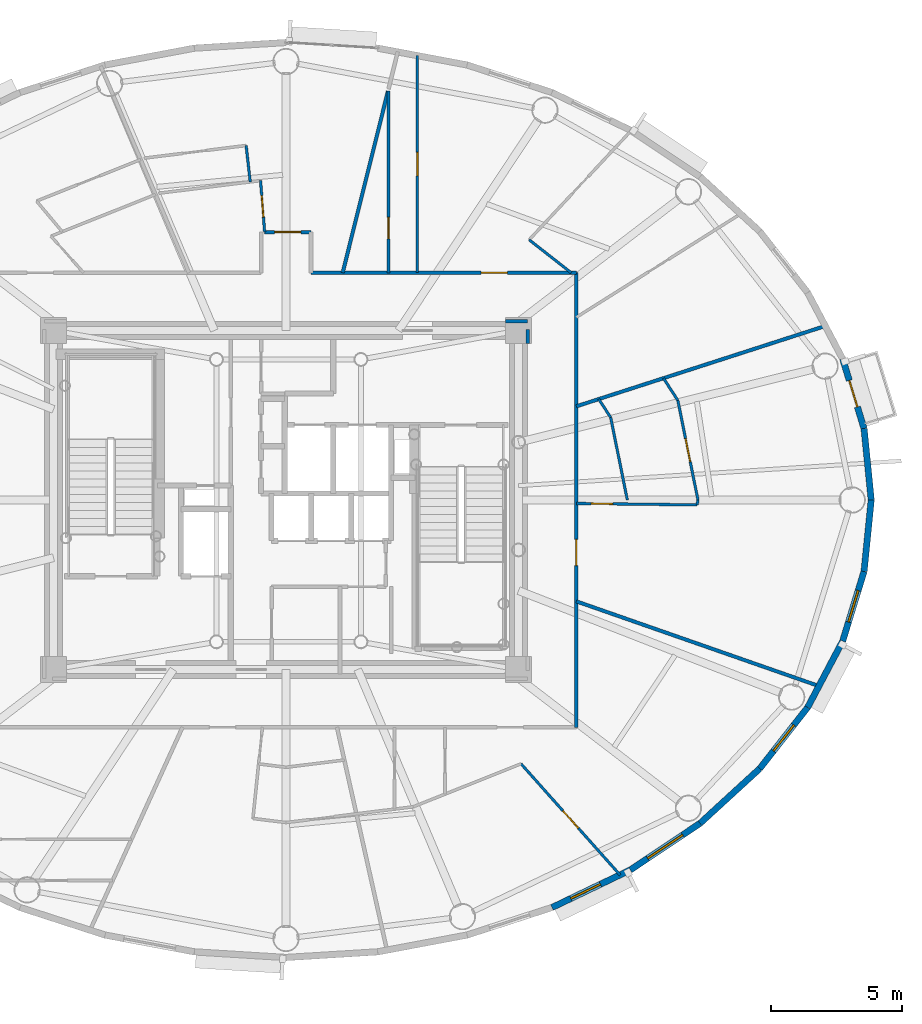
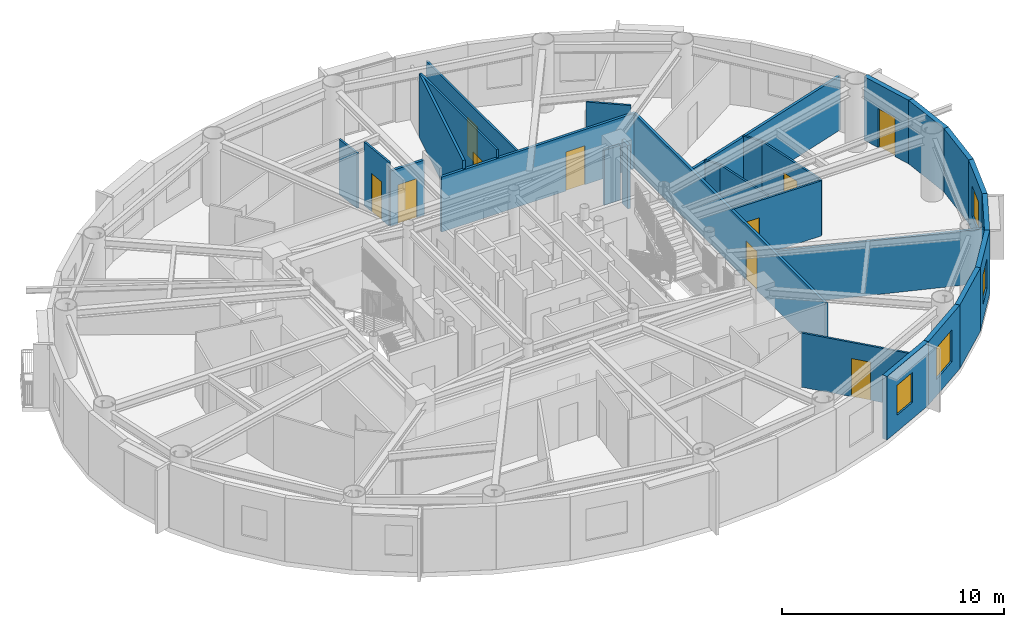
# One storey, part 9 of 18: 29 walls, 10 doors, 4 windows, 14 openings.
"""IFC4 building model written with IfcOpenShell, lengths in metres."""

from ifc_helpers import new_model, si_unit, direction, frame, frame_2d, origin, origin_2d, place, context, subcontext, project, spatial, rectangle, extrude, source, transform, mapped, material, layer, layer_set, type_object, element, fill, save


model = new_model("IFC4")

# Units and contexts
model_context = context("Model", 3, precision=1e-05, world=origin(), true_north=direction((0.0, 1.0)))
body_context = subcontext(model_context, "Body", "Model", "MODEL_VIEW")
ifc_project = project(units=[si_unit("LENGTHUNIT", "METRE"), si_unit("AREAUNIT", "SQUARE_METRE"), si_unit("VOLUMEUNIT", "CUBIC_METRE"), si_unit("PLANEANGLEUNIT", "RADIAN"), si_unit("MASSUNIT", "GRAM", prefix="KILO")], contexts=[model_context])

# Site, building, storey
site_placement = place(None, origin())
site = spatial("IfcSite", under=ifc_project, at=site_placement, CompositionType="ELEMENT")
building_placement = place(site_placement, origin())
building = spatial("IfcBuilding", under=site, at=building_placement, Name="Linh Dai School and Residence Tower", CompositionType="ELEMENT")
storey_placement = place(building_placement, frame((0.0, 0.0, 295.5)))
storey = spatial("IfcBuildingStorey", under=building, at=storey_placement, Name="L73", CompositionType="ELEMENT", Elevation=295.5)

# Wall
ifc_material_1 = material(Name="Precast Concrete B45 (C35/45)", Category="concrete")
ifc_layer_1 = layer(ifc_material_1, 0.239990234375)
ifc_layer_set_1 = layer_set([ifc_layer_1], Name="Precast Concrete B45 (C35/45)")
wall_type_1 = type_object("IfcWallType", Name="EW-TC-240", PredefinedType="SOLIDWALL", material=ifc_layer_set_1)
wall_1_placement = place(storey_placement, frame((58.001708984375, 29.718994140625, 0.0), z_axis=(0.0, 0.0, 1.0), x_axis=(0.099972526841, -0.99499019788, 0.0)))
element("IfcWall", 1, at=wall_1_placement, inside=storey, type_object=wall_type_1, Name="L73 Terracotta Exterior Wall 01", PredefinedType="SOLIDWALL", context=body_context, shape_type="SweptSolid", body=[
    extrude(rectangle(XDim=2.732666015625, YDim=0.239990234375, at=frame_2d((1.3662109375, 0.0))), origin(), (0.0, 0.0, 1.0), 3.5),
])

# Wall, opening, door
wall_2_placement = place(storey_placement, frame((57.188232421875, 32.372314453125, 0.0), z_axis=(0.0, 0.0, 1.0), x_axis=(0.2931213403, -0.956075248012, 0.0)))
wall_2 = element("IfcWall", 2, at=wall_2_placement, inside=storey, type_object=wall_type_1, Name="L73 Terracotta Exterior Wall 02", PredefinedType="SOLIDWALL", context=body_context, shape_type="SweptSolid", body=[
    extrude(rectangle(XDim=2.775146484375, YDim=0.239990234375, at=frame_2d((1.3876953125, 0.0))), origin(), (0.0, 0.0, 1.0), 3.5),
])
opening_1_placement = place(wall_2_placement, frame((0.862548828125, 0.0, 0.0)))
opening_1 = element("IfcOpeningElement", 3, at=opening_1_placement, cuts=wall_2, Name="Opening BD1", PredefinedType="OPENING", context=body_context, shape_type="SweptSolid", body=[
    extrude(rectangle(XDim=1.050048828125, YDim=2.14990234375, at=origin_2d()), frame((0.52490234375, 0.1298828125, 1.074951171875), z_axis=(0.0, -1.0, 0.0), x_axis=(1.0, 0.0, 0.0)), (0.0, 0.0, 1.0), 0.260009765625),
])
ifc_material_2 = material(Name="Double-Glazed Balcony Door", Category="glass")
door_type_1 = type_object("IfcDoorType", Name="DR-BALC-1050x2150", OperationType="NOTDEFINED", PredefinedType="DOOR", material=ifc_material_2)
shared_shape_1 = source(origin(), body_context, "Body", "SweptSolid", [
    extrude(rectangle(XDim=1.050048828125, YDim=2.14990234375, at=origin_2d()), frame((0.52490234375, 0.02490234375, 1.074951171875), z_axis=(0.0, -1.0, 0.0), x_axis=(1.0, 0.0, 0.0)), (0.0, 0.0, 1.0), 0.050048828125),
])
door_1_placement = place(opening_1_placement, origin())
door_1 = element("IfcDoor", 4, at=door_1_placement, inside=storey, type_object=door_type_1, Name="L73 Glazed Balcony Door 02", OperationType="SINGLE_SWING_LEFT", OverallHeight=2.14990234375, OverallWidth=1.050048828125, PredefinedType="DOOR", context=body_context, shape_type="MappedRepresentation", body=[
    mapped(shared_shape_1, transform((0.0, 0.0, 0.0), x_axis=(1.0, 0.0, 0.0), y_axis=(0.0, 1.0, 0.0), z_axis=(0.0, 0.0, 1.0), scale=1.0)),
])
fill(opening_1, door_1)

# Wall, opening, window
wall_3_placement = place(storey_placement, frame((49.1044921875, 12.91845703125, 0.0), z_axis=(0.0, 0.0, 1.0), x_axis=(-0.901573741254, -0.43262546051, 0.0)))
wall_3 = element("IfcWall", 5, at=wall_3_placement, inside=storey, type_object=wall_type_1, Name="L73 Terracotta Exterior Wall 34", PredefinedType="SOLIDWALL", context=body_context, shape_type="SweptSolid", body=[
    extrude(rectangle(XDim=3.306884765625, YDim=0.239990234375, at=frame_2d((1.6533203125, 0.0))), origin(), (0.0, 0.0, 1.0), 3.5),
])
opening_2_placement = place(wall_3_placement, frame((1.260009765625, 0.0, 0.89990234375)))
opening_2 = element("IfcOpeningElement", 6, at=opening_2_placement, cuts=wall_3, Name="Opening W3", PredefinedType="OPENING", context=body_context, shape_type="SweptSolid", body=[
    extrude(rectangle(XDim=1.25, YDim=1.64990234375, at=origin_2d()), frame((0.625, 0.1298828125, 0.824951171875), z_axis=(0.0, -1.0, 0.0), x_axis=(1.0, 0.0, 0.0)), (0.0, 0.0, 1.0), 0.260009765625),
])
ifc_material_3 = material(Name="Double Low-E Insulated Glazing", Category="glass")
window_type_1 = type_object("IfcWindowType", Name="WN-RES-1250x1650", PartitioningType="SINGLE_PANEL", PredefinedType="WINDOW", material=ifc_material_3)
shared_shape_2 = source(origin(), body_context, "Body", "SweptSolid", [
    extrude(rectangle(XDim=1.25, YDim=1.64990234375, at=origin_2d()), frame((0.625, 0.030029296875, 0.824951171875), z_axis=(0.0, -1.0, 0.0), x_axis=(1.0, 0.0, 0.0)), (0.0, 0.0, 1.0), 0.06005859375),
])
window_1_placement = place(opening_2_placement, origin())
window_1 = element("IfcWindow", 7, at=window_1_placement, inside=storey, type_object=window_type_1, Name="L73 Exterior Window 34.1", OverallHeight=1.64990234375, OverallWidth=1.25, PartitioningType="SINGLE_PANEL", PredefinedType="WINDOW", context=body_context, shape_type="MappedRepresentation", body=[
    mapped(shared_shape_2, transform((0.0, 0.0, 0.0), x_axis=(1.0, 0.0, 0.0), y_axis=(0.0, 1.0, 0.0), z_axis=(0.0, 0.0, 1.0), scale=1.0)),
])
fill(opening_2, window_1)

wall_4_placement = place(storey_placement, frame((51.76220703125, 14.69580078125, 0.0), z_axis=(0.0, 0.0, 1.0), x_axis=(-0.831250592635, -0.55589787933, 0.0)))
wall_4 = element("IfcWall", 8, at=wall_4_placement, inside=storey, type_object=wall_type_1, Name="L73 Terracotta Exterior Wall 35", PredefinedType="SOLIDWALL", context=body_context, shape_type="SweptSolid", body=[
    extrude(rectangle(XDim=3.197265625, YDim=0.239990234375, at=frame_2d((1.5986328125, 0.0))), origin(), (0.0, 0.0, 1.0), 3.5),
])
opening_3_placement = place(wall_4_placement, frame((0.798583984375, 0.0, 0.89990234375)))
opening_3 = element("IfcOpeningElement", 9, at=opening_3_placement, cuts=wall_4, Name="Opening W2", PredefinedType="OPENING", context=body_context, shape_type="SweptSolid", body=[
    extrude(rectangle(XDim=1.60009765625, YDim=1.75, at=origin_2d()), frame((0.800048828125, 0.1298828125, 0.875), z_axis=(0.0, -1.0, 0.0), x_axis=(1.0, 0.0, 0.0)), (0.0, 0.0, 1.0), 0.260009765625),
])
window_type_2 = type_object("IfcWindowType", Name="WN-RES-1600x1750", PartitioningType="DOUBLE_PANEL_VERTICAL", PredefinedType="WINDOW", material=ifc_material_3)
shared_shape_3 = source(origin(), body_context, "Body", "SweptSolid", [
    extrude(rectangle(XDim=1.60009765625, YDim=1.75, at=origin_2d()), frame((0.800048828125, 0.030029296875, 0.875), z_axis=(0.0, -1.0, 0.0), x_axis=(1.0, 0.0, 0.0)), (0.0, 0.0, 1.0), 0.06005859375),
])
window_2_placement = place(opening_3_placement, origin())
window_2 = element("IfcWindow", 10, at=window_2_placement, inside=storey, type_object=window_type_2, Name="L73 Exterior Window 35.1", OverallHeight=1.75, OverallWidth=1.60009765625, PartitioningType="DOUBLE_PANEL_VERTICAL", PredefinedType="WINDOW", context=body_context, shape_type="MappedRepresentation", body=[
    mapped(shared_shape_3, transform((0.0, 0.0, 0.0), x_axis=(1.0, 0.0, 0.0), y_axis=(0.0, 1.0, 0.0), z_axis=(0.0, 0.0, 1.0), scale=1.0)),
])
fill(opening_3, window_2)

# Wall
wall_5_placement = place(storey_placement, frame((54.0302734375, 16.775390625, 0.0), z_axis=(0.0, 0.0, 1.0), x_axis=(-0.737068506972, -0.675818034703, 0.0)))
element("IfcWall", 11, at=wall_5_placement, inside=storey, type_object=wall_type_1, Name="L73 Terracotta Exterior Wall 36", PredefinedType="SOLIDWALL", context=body_context, shape_type="SweptSolid", body=[
    extrude(rectangle(XDim=3.0771484375, YDim=0.239990234375, at=frame_2d((1.53857421875, 0.0))), origin(), (0.0, 0.0, 1.0), 3.5),
])

# Wall, opening, window
wall_6_placement = place(storey_placement, frame((55.853759765625, 19.105224609375, 0.0), z_axis=(0.0, 0.0, 1.0), x_axis=(-0.616337186556, -0.787482363275, 0.0)))
wall_6 = element("IfcWall", 12, at=wall_6_placement, inside=storey, type_object=wall_type_1, Name="L73 Terracotta Exterior Wall 37", PredefinedType="SOLIDWALL", context=body_context, shape_type="SweptSolid", body=[
    extrude(rectangle(XDim=2.95849609375, YDim=0.239990234375, at=frame_2d((1.479248046875, 0.0))), origin(), (0.0, 0.0, 1.0), 3.5),
])
opening_4_placement = place(wall_6_placement, frame((0.8544921875, 0.0, 0.89990234375)))
opening_4 = element("IfcOpeningElement", 13, at=opening_4_placement, cuts=wall_6, Name="Opening W3", PredefinedType="OPENING", context=body_context, shape_type="SweptSolid", body=[
    extrude(rectangle(XDim=1.25, YDim=1.64990234375, at=origin_2d()), frame((0.625, 0.1298828125, 0.824951171875), z_axis=(0.0, -1.0, 0.0), x_axis=(1.0, 0.0, 0.0)), (0.0, 0.0, 1.0), 0.260009765625),
])
window_3_placement = place(opening_4_placement, origin())
window_3 = element("IfcWindow", 14, at=window_3_placement, inside=storey, type_object=window_type_1, Name="L73 Exterior Window 37.1", OverallHeight=1.64990234375, OverallWidth=1.25, PartitioningType="SINGLE_PANEL", PredefinedType="WINDOW", context=body_context, shape_type="MappedRepresentation", body=[
    mapped(shared_shape_2, transform((0.0, 0.0, 0.0), x_axis=(1.0, 0.0, 0.0), y_axis=(0.0, 1.0, 0.0), z_axis=(0.0, 0.0, 1.0), scale=1.0)),
])
fill(opening_4, window_3)

# Wall
wall_7_placement = place(storey_placement, frame((57.188232421875, 21.627685546875, 0.0), z_axis=(0.0, 0.0, 1.0), x_axis=(-0.467628269026, -0.883925224218, 0.0)))
element("IfcWall", 15, at=wall_7_placement, inside=storey, type_object=wall_type_1, Name="L73 Terracotta Exterior Wall 38", PredefinedType="SOLIDWALL", context=body_context, shape_type="SweptSolid", body=[
    extrude(rectangle(XDim=2.853759765625, YDim=0.239990234375, at=frame_2d((1.4267578125, 0.0))), origin(), (0.0, 0.0, 1.0), 3.5),
])

# Wall, opening, window
wall_8_placement = place(storey_placement, frame((58.001708984375, 24.281005859375, 0.0), z_axis=(0.0, 0.0, 1.0), x_axis=(-0.2931213403, -0.956075248012, 0.0)))
wall_8 = element("IfcWall", 16, at=wall_8_placement, inside=storey, type_object=wall_type_1, Name="L73 Terracotta Exterior Wall 39", PredefinedType="SOLIDWALL", context=body_context, shape_type="SweptSolid", body=[
    extrude(rectangle(XDim=2.775146484375, YDim=0.239990234375, at=frame_2d((1.3876953125, 0.0))), origin(), (0.0, 0.0, 1.0), 3.5),
])
opening_5_placement = place(wall_8_placement, frame((0.7626953125, 0.0, 0.89990234375)))
opening_5 = element("IfcOpeningElement", 17, at=opening_5_placement, cuts=wall_8, Name="Opening W3", PredefinedType="OPENING", context=body_context, shape_type="SweptSolid", body=[
    extrude(rectangle(XDim=1.25, YDim=1.64990234375, at=origin_2d()), frame((0.625, 0.1298828125, 0.824951171875), z_axis=(0.0, -1.0, 0.0), x_axis=(1.0, 0.0, 0.0)), (0.0, 0.0, 1.0), 0.260009765625),
])
window_4_placement = place(opening_5_placement, origin())
window_4 = element("IfcWindow", 18, at=window_4_placement, inside=storey, type_object=window_type_1, Name="L73 Exterior Window 39.1", OverallHeight=1.64990234375, OverallWidth=1.25, PartitioningType="SINGLE_PANEL", PredefinedType="WINDOW", context=body_context, shape_type="MappedRepresentation", body=[
    mapped(shared_shape_2, transform((0.0, 0.0, 0.0), x_axis=(1.0, 0.0, 0.0), y_axis=(0.0, 1.0, 0.0), z_axis=(0.0, 0.0, 1.0), scale=1.0)),
])
fill(opening_5, window_4)

# Wall
wall_9_placement = place(storey_placement, frame((58.27490234375, 27.0, 0.0), z_axis=(0.0, 0.0, 1.0), x_axis=(-0.099972526841, -0.99499019788, 0.0)))
element("IfcWall", 19, at=wall_9_placement, inside=storey, type_object=wall_type_1, Name="L73 Terracotta Exterior Wall 40", PredefinedType="SOLIDWALL", context=body_context, shape_type="SweptSolid", body=[
    extrude(rectangle(XDim=2.732666015625, YDim=0.239990234375, at=frame_2d((1.3662109375, 0.0))), origin(), (0.0, 0.0, 1.0), 3.5),
])

# Wall, opening, door
ifc_material_4 = material(Name="Autoclaved Aerated Concrete Blockwork", Category="masonry")
ifc_layer_2 = layer(ifc_material_4, 0.135009765625)
ifc_layer_set_2 = layer_set([ifc_layer_2], Name="Autoclaved Aerated Concrete Blockwork")
wall_type_2 = type_object("IfcWallType", Name="IW-CORR-135-EI90", PredefinedType="PARTITIONING", material=ifc_layer_set_2)
wall_10_placement = place(storey_placement, frame((35.185546875, 37.199951171875, 0.0), z_axis=(0.0, 0.0, 1.0), x_axis=(1.0, 0.0, 0.0)))
wall_10 = element("IfcWall", 20, at=wall_10_placement, inside=storey, type_object=wall_type_2, Name="L73 Interior Partition Wall 048", PredefinedType="PARTITIONING", context=body_context, shape_type="SweptSolid", body=[
    extrude(rectangle(XDim=1.764404296875, YDim=0.135009765625, at=frame_2d((0.88232421875, 0.0))), origin(), (0.0, 0.0, 1.0), 3.034912109375),
])
opening_6_placement = place(wall_10_placement, frame((0.382080078125, 0.0, 0.0)))
opening_6 = element("IfcOpeningElement", 21, at=opening_6_placement, cuts=wall_10, Name="Opening D03", PredefinedType="OPENING", context=body_context, shape_type="SweptSolid", body=[
    extrude(rectangle(XDim=1.0, YDim=2.14990234375, at=origin_2d()), frame((0.5, 0.07763671875, 1.074951171875), z_axis=(0.0, -1.0, 0.0), x_axis=(1.0, 0.0, 0.0)), (0.0, 0.0, 1.0), 0.155029296875),
])
ifc_material_5 = material(Name="Fire-Rated Solid Timber Entrance Door", Category="wood")
door_type_2 = type_object("IfcDoorType", Name="DR-FLAT-1000x2150-FD60S", OperationType="NOTDEFINED", PredefinedType="DOOR", material=ifc_material_5)
shared_shape_4 = source(origin(), body_context, "Body", "SweptSolid", [
    extrude(rectangle(XDim=1.0, YDim=2.14990234375, at=origin_2d()), frame((0.5, 0.02490234375, 1.074951171875), z_axis=(0.0, -1.0, 0.0), x_axis=(1.0, 0.0, 0.0)), (0.0, 0.0, 1.0), 0.050048828125),
])
door_2_placement = place(opening_6_placement, origin())
door_2 = element("IfcDoor", 22, at=door_2_placement, inside=storey, type_object=door_type_2, Name="L73 U7301 Apartment Entrance Door", OperationType="SINGLE_SWING_LEFT", OverallHeight=2.14990234375, OverallWidth=1.0, PredefinedType="DOOR", context=body_context, shape_type="MappedRepresentation", body=[
    mapped(shared_shape_4, transform((0.0, 0.0, 0.0), x_axis=(1.0, 0.0, 0.0), y_axis=(0.0, 1.0, 0.0), z_axis=(0.0, 0.0, 1.0), scale=1.0)),
])
fill(opening_6, door_2)

wall_11_placement = place(storey_placement, frame((36.949951171875, 35.64990234375, 0.0), z_axis=(0.0, 0.0, 1.0), x_axis=(1.0, 0.0, 0.0)))
wall_11 = element("IfcWall", 23, at=wall_11_placement, inside=storey, type_object=wall_type_2, Name="L73 Interior Partition Wall 059", PredefinedType="PARTITIONING", context=body_context, shape_type="SweptSolid", body=[
    extrude(rectangle(XDim=10.10009765625, YDim=0.135009765625, at=frame_2d((5.050048828125, 0.0))), origin(), (0.0, 0.0, 1.0), 3.034912109375),
])
opening_7_placement = place(wall_11_placement, frame((6.476806640625, 0.0, 0.0)))
opening_7 = element("IfcOpeningElement", 24, at=opening_7_placement, cuts=wall_11, Name="Opening D03", PredefinedType="OPENING", context=body_context, shape_type="SweptSolid", body=[
    extrude(rectangle(XDim=1.0, YDim=2.14990234375, at=origin_2d()), frame((0.5, 0.07763671875, 1.074951171875), z_axis=(0.0, -1.0, 0.0), x_axis=(1.0, 0.0, 0.0)), (0.0, 0.0, 1.0), 0.155029296875),
])
door_3_placement = place(opening_7_placement, origin())
door_3 = element("IfcDoor", 25, at=door_3_placement, inside=storey, type_object=door_type_2, Name="L73 U7308 Apartment Entrance Door", OperationType="SINGLE_SWING_RIGHT", OverallHeight=2.14990234375, OverallWidth=1.0, PredefinedType="DOOR", context=body_context, shape_type="MappedRepresentation", body=[
    mapped(shared_shape_4, transform((0.0, 0.0, 0.0), x_axis=(1.0, 0.0, 0.0), y_axis=(0.0, 1.0, 0.0), z_axis=(0.0, 0.0, 1.0), scale=1.0)),
])
fill(opening_7, door_3)

# Wall
wall_12_placement = place(storey_placement, frame((38.15673828125, 35.64990234375, 0.0), z_axis=(0.0, 0.0, 1.0), x_axis=(0.241898679066, 0.970301514513, 0.0)))
element("IfcWall", 26, at=wall_12_placement, inside=storey, type_object=wall_type_2, Name="L73 Interior Partition Wall 065", PredefinedType="PARTITIONING", context=body_context, shape_type="SweptSolid", body=[
    extrude(rectangle(XDim=7.12548828125, YDim=0.135009765625, at=frame_2d((3.562744140625, 0.0))), origin(), (0.0, 0.0, 1.0), 3.5),
])

# Wall, opening, door
wall_13_placement = place(storey_placement, frame((47.050048828125, 18.35009765625, 0.0), z_axis=(0.0, 0.0, 1.0), x_axis=(0.0, 1.0, 0.0)))
wall_13 = element("IfcWall", 27, at=wall_13_placement, inside=storey, type_object=wall_type_2, Name="L73 Interior Partition Wall 081", PredefinedType="PARTITIONING", context=body_context, shape_type="SweptSolid", body=[
    extrude(rectangle(XDim=17.2998046875, YDim=0.135009765625, at=frame_2d((8.64990234375, 0.0))), origin(), (0.0, 0.0, 1.0), 3.034912109375),
])
opening_8_placement = place(wall_13_placement, frame((6.1552734375, 0.0, 0.0)))
opening_8 = element("IfcOpeningElement", 28, at=opening_8_placement, cuts=wall_13, Name="Opening D03", PredefinedType="OPENING", context=body_context, shape_type="SweptSolid", body=[
    extrude(rectangle(XDim=1.0, YDim=2.14990234375, at=origin_2d()), frame((0.5, 0.07763671875, 1.074951171875), z_axis=(0.0, -1.0, 0.0), x_axis=(1.0, 0.0, 0.0)), (0.0, 0.0, 1.0), 0.155029296875),
])
door_4_placement = place(opening_8_placement, origin())
door_4 = element("IfcDoor", 29, at=door_4_placement, inside=storey, type_object=door_type_2, Name="L73 U7307 Apartment Entrance Door", OperationType="SINGLE_SWING_LEFT", OverallHeight=2.14990234375, OverallWidth=1.0, PredefinedType="DOOR", context=body_context, shape_type="MappedRepresentation", body=[
    mapped(shared_shape_4, transform((0.0, 0.0, 0.0), x_axis=(1.0, 0.0, 0.0), y_axis=(0.0, 1.0, 0.0), z_axis=(0.0, 0.0, 1.0), scale=1.0)),
])
fill(opening_8, door_4)

# Walls
wall_14_placement = place(storey_placement, frame((47.050048828125, 23.141845703125, 0.0), z_axis=(0.0, 0.0, 1.0), x_axis=(0.94410974345, -0.329631297547, 0.0)))
element("IfcWall", 30, at=wall_14_placement, inside=storey, type_object=wall_type_2, Name="L73 Interior Partition Wall 082", PredefinedType="PARTITIONING", context=body_context, shape_type="SweptSolid", body=[
    extrude(rectangle(XDim=9.785400390625, YDim=0.135009765625, at=frame_2d((4.892578125, 0.0))), origin(), (0.0, 0.0, 1.0), 2.985107421875),
])
wall_15_placement = place(storey_placement, frame((47.050048828125, 30.5654296875, 0.0), z_axis=(0.0, 0.0, 1.0), x_axis=(0.951682976888, 0.307082255269, 0.0)))
element("IfcWall", 31, at=wall_15_placement, inside=storey, type_object=wall_type_2, Name="L73 Interior Partition Wall 084", PredefinedType="PARTITIONING", context=body_context, shape_type="SweptSolid", body=[
    extrude(rectangle(XDim=9.962646484375, YDim=0.135009765625, at=frame_2d((4.9814453125, 0.0))), origin(), (0.0, 0.0, 1.0), 2.985107421875),
])
wall_16_placement = place(storey_placement, frame((45.199951171875, 33.800048828125, 0.0), z_axis=(0.0, 0.0, 1.0), x_axis=(-1.0, 0.0, 0.0)))
element("IfcWall", 32, at=wall_16_placement, inside=storey, type_object=wall_type_2, Name="L73 Interior Partition Wall 093", PredefinedType="PARTITIONING", context=body_context, shape_type="SweptSolid", body=[
    extrude(rectangle(XDim=0.83984375, YDim=0.135009765625, at=frame_2d((0.419921875, 0.0))), origin(), (0.0, 0.0, 1.0), 3.034912109375),
])
wall_17_placement = place(storey_placement, frame((45.199951171875, 32.9599609375, 0.0), z_axis=(0.0, 0.0, 1.0), x_axis=(0.0, 1.0, 0.0)))
element("IfcWall", 33, at=wall_17_placement, inside=storey, type_object=wall_type_2, Name="L73 Interior Partition Wall 100", PredefinedType="PARTITIONING", context=body_context, shape_type="SweptSolid", body=[
    extrude(rectangle(XDim=0.532470703125, YDim=0.135009765625, at=frame_2d((0.26611328125, 0.0))), origin(), (0.0, 0.0, 1.0), 3.5),
])
ifc_material_6 = material(Name="Gypsum Plasterboard Acoustic Stud Partition", Category="masonry")
ifc_layer_3 = layer(ifc_material_6, 0.10009765625)
ifc_layer_set_3 = layer_set([ifc_layer_3], Name="Gypsum Plasterboard Acoustic Stud Partition")
wall_type_3 = type_object("IfcWallType", Name="IW-UNIT-100", PredefinedType="PARTITIONING", material=ifc_layer_set_3)
wall_18_placement = place(storey_placement, frame((34.4814453125, 40.492919921875, 0.0), z_axis=(0.0, 0.0, 1.0), x_axis=(0.111835884353, -0.993726690278, 0.0)))
element("IfcWall", 34, at=wall_18_placement, inside=storey, type_object=wall_type_3, Name="L73 Interior Partition Wall 036", PredefinedType="PARTITIONING", context=body_context, shape_type="SweptSolid", body=[
    extrude(rectangle(XDim=1.392822265625, YDim=0.10009765625, at=frame_2d((0.6962890625, 0.0))), origin(), (0.0, 0.0, 1.0), 3.034912109375),
])

# Wall, opening, door
wall_19_placement = place(storey_placement, frame((35.029296875, 39.15771484375, 0.0), z_axis=(0.0, 0.0, 1.0), x_axis=(0.079557473452, -0.996830280649, 0.0)))
wall_19 = element("IfcWall", 35, at=wall_19_placement, inside=storey, type_object=wall_type_3, Name="L73 Interior Partition Wall 040", PredefinedType="PARTITIONING", context=body_context, shape_type="SweptSolid", body=[
    extrude(rectangle(XDim=1.9638671875, YDim=0.10009765625, at=frame_2d((0.98193359375, 0.0))), origin(), (0.0, 0.0, 1.0), 3.5),
])
opening_9_placement = place(wall_19_placement, frame((0.572021484375, 0.0, 0.0)))
opening_9 = element("IfcOpeningElement", 36, at=opening_9_placement, cuts=wall_19, Name="Opening D06", PredefinedType="OPENING", context=body_context, shape_type="SweptSolid", body=[
    extrude(rectangle(XDim=0.820068359375, YDim=2.10009765625, at=origin_2d()), frame((0.41015625, 0.06005859375, 1.050048828125), z_axis=(0.0, -1.0, 0.0), x_axis=(1.0, 0.0, 0.0)), (0.0, 0.0, 1.0), 0.1201171875),
])
ifc_material_7 = material(Name="Moisture-Resistant Timber Bathroom Door", Category="wood")
door_type_3 = type_object("IfcDoorType", Name="DR-WET-820x2100", OperationType="NOTDEFINED", PredefinedType="DOOR", material=ifc_material_7)
shared_shape_5 = source(origin(), body_context, "Body", "SweptSolid", [
    extrude(rectangle(XDim=0.820068359375, YDim=2.10009765625, at=origin_2d()), frame((0.41015625, 0.02490234375, 1.050048828125), z_axis=(0.0, -1.0, 0.0), x_axis=(1.0, 0.0, 0.0)), (0.0, 0.0, 1.0), 0.050048828125),
])
door_5_placement = place(opening_9_placement, origin())
door_5 = element("IfcDoor", 37, at=door_5_placement, inside=storey, type_object=door_type_3, Name="L73 Apartment U7301 Bathroom Door", OperationType="SINGLE_SWING_RIGHT", OverallHeight=2.10009765625, OverallWidth=0.820068359375, PredefinedType="DOOR", context=body_context, shape_type="MappedRepresentation", body=[
    mapped(shared_shape_5, transform((0.0, 0.0, 0.0), x_axis=(1.0, 0.0, 0.0), y_axis=(0.0, 1.0, 0.0), z_axis=(0.0, 0.0, 1.0), scale=1.0)),
])
fill(opening_9, door_5)

wall_20_placement = place(storey_placement, frame((39.89990234375, 35.64990234375, 0.0), z_axis=(0.0, 0.0, 1.0), x_axis=(0.0, 1.0, 0.0)))
wall_20 = element("IfcWall", 38, at=wall_20_placement, inside=storey, type_object=wall_type_3, Name="L73 Interior Partition Wall 068", PredefinedType="PARTITIONING", context=body_context, shape_type="SweptSolid", body=[
    extrude(rectangle(XDim=6.911376953125, YDim=0.10009765625, at=frame_2d((3.45556640625, 0.0))), origin(), (0.0, 0.0, 1.0), 3.5),
])
opening_10_placement = place(wall_20_placement, frame((1.290283203125, 0.0, 0.0)))
opening_10 = element("IfcOpeningElement", 39, at=opening_10_placement, cuts=wall_20, Name="Opening D06", PredefinedType="OPENING", context=body_context, shape_type="SweptSolid", body=[
    extrude(rectangle(XDim=0.820068359375, YDim=2.10009765625, at=origin_2d()), frame((0.41015625, 0.06005859375, 1.050048828125), z_axis=(0.0, -1.0, 0.0), x_axis=(1.0, 0.0, 0.0)), (0.0, 0.0, 1.0), 0.1201171875),
])
door_6_placement = place(opening_10_placement, origin())
door_6 = element("IfcDoor", 40, at=door_6_placement, inside=storey, type_object=door_type_3, Name="L73 Apartment U7308 Bathroom 1 Door", OperationType="SINGLE_SWING_RIGHT", OverallHeight=2.10009765625, OverallWidth=0.820068359375, PredefinedType="DOOR", context=body_context, shape_type="MappedRepresentation", body=[
    mapped(shared_shape_5, transform((0.0, 0.0, 0.0), x_axis=(1.0, 0.0, 0.0), y_axis=(0.0, 1.0, 0.0), z_axis=(0.0, 0.0, 1.0), scale=1.0)),
])
fill(opening_10, door_6)

wall_21_placement = place(storey_placement, frame((40.998291015625, 35.64990234375, 0.0), z_axis=(0.0, 0.0, 1.0), x_axis=(0.0, 1.0, 0.0)))
wall_21 = element("IfcWall", 41, at=wall_21_placement, inside=storey, type_object=wall_type_3, Name="L73 Interior Partition Wall 076", PredefinedType="PARTITIONING", context=body_context, shape_type="SweptSolid", body=[
    extrude(rectangle(XDim=8.271484375, YDim=0.10009765625, at=frame_2d((4.1357421875, 0.0))), origin(), (0.0, 0.0, 1.0), 2.985107421875),
])
opening_11_placement = place(wall_21_placement, frame((3.685791015625, 0.0, 0.0)))
opening_11 = element("IfcOpeningElement", 42, at=opening_11_placement, cuts=wall_21, Name="Opening D05", PredefinedType="OPENING", context=body_context, shape_type="SweptSolid", body=[
    extrude(rectangle(XDim=0.89990234375, YDim=2.10009765625, at=origin_2d()), frame((0.449951171875, 0.06005859375, 1.050048828125), z_axis=(0.0, -1.0, 0.0), x_axis=(1.0, 0.0, 0.0)), (0.0, 0.0, 1.0), 0.1201171875),
])
ifc_material_8 = material(Name="Engineered Timber Internal Door", Category="wood")
door_type_4 = type_object("IfcDoorType", Name="DR-INT-900x2100", OperationType="NOTDEFINED", PredefinedType="DOOR", material=ifc_material_8)
shared_shape_6 = source(origin(), body_context, "Body", "SweptSolid", [
    extrude(rectangle(XDim=0.89990234375, YDim=2.10009765625, at=origin_2d()), frame((0.449951171875, 0.02490234375, 1.050048828125), z_axis=(0.0, -1.0, 0.0), x_axis=(1.0, 0.0, 0.0)), (0.0, 0.0, 1.0), 0.050048828125),
])
door_7_placement = place(opening_11_placement, origin())
door_7 = element("IfcDoor", 43, at=door_7_placement, inside=storey, type_object=door_type_4, Name="L73 Apartment U7308 Kitchen Door", OperationType="SINGLE_SWING_RIGHT", OverallHeight=2.10009765625, OverallWidth=0.89990234375, PredefinedType="DOOR", context=body_context, shape_type="MappedRepresentation", body=[
    mapped(shared_shape_6, transform((0.0, 0.0, 0.0), x_axis=(1.0, 0.0, 0.0), y_axis=(0.0, 1.0, 0.0), z_axis=(0.0, 0.0, 1.0), scale=1.0)),
])
fill(opening_11, door_7)

wall_22_placement = place(storey_placement, frame((44.945068359375, 16.95849609375, 0.0), z_axis=(0.0, 0.0, 1.0), x_axis=(0.665162818086, -0.746698349694, 0.0)))
wall_22 = element("IfcWall", 44, at=wall_22_placement, inside=storey, type_object=wall_type_3, Name="L73 Interior Partition Wall 078", PredefinedType="PARTITIONING", context=body_context, shape_type="SweptSolid", body=[
    extrude(rectangle(XDim=5.668212890625, YDim=0.10009765625, at=frame_2d((2.833984375, 0.0))), origin(), (0.0, 0.0, 1.0), 2.985107421875),
])
opening_12_placement = place(wall_22_placement, frame((2.384033203125, 0.0, 0.0)))
opening_12 = element("IfcOpeningElement", 45, at=opening_12_placement, cuts=wall_22, Name="Opening D05", PredefinedType="OPENING", context=body_context, shape_type="SweptSolid", body=[
    extrude(rectangle(XDim=0.89990234375, YDim=2.10009765625, at=origin_2d()), frame((0.449951171875, 0.06005859375, 1.050048828125), z_axis=(0.0, -1.0, 0.0), x_axis=(1.0, 0.0, 0.0)), (0.0, 0.0, 1.0), 0.1201171875),
])
door_8_placement = place(opening_12_placement, origin())
door_8 = element("IfcDoor", 46, at=door_8_placement, inside=storey, type_object=door_type_4, Name="L73 Apartment U7306 Principal Bedroom 1 Door", OperationType="SINGLE_SWING_RIGHT", OverallHeight=2.10009765625, OverallWidth=0.89990234375, PredefinedType="DOOR", context=body_context, shape_type="MappedRepresentation", body=[
    mapped(shared_shape_6, transform((0.0, 0.0, 0.0), x_axis=(1.0, 0.0, 0.0), y_axis=(0.0, 1.0, 0.0), z_axis=(0.0, 0.0, 1.0), scale=1.0)),
])
fill(opening_12, door_8)

# Wall
wall_23_placement = place(storey_placement, frame((45.254150390625, 36.903564453125, 0.0), z_axis=(0.0, 0.0, 1.0), x_axis=(0.787350433025, -0.616505714179, 0.0)))
element("IfcWall", 47, at=wall_23_placement, inside=storey, type_object=wall_type_3, Name="L73 Interior Partition Wall 079", PredefinedType="PARTITIONING", context=body_context, shape_type="SweptSolid", body=[
    extrude(rectangle(XDim=2.033447265625, YDim=0.10009765625, at=frame_2d((1.0166015625, 0.0))), origin(), (0.0, 0.0, 1.0), 3.5),
])

# Wall, opening, door
wall_24_placement = place(storey_placement, frame((47.050048828125, 26.86865234375, 0.0), z_axis=(0.0, 0.0, 1.0), x_axis=(0.999929100649, -0.011907714968, 0.0)))
wall_24 = element("IfcWall", 48, at=wall_24_placement, inside=storey, type_object=wall_type_3, Name="L73 Interior Partition Wall 083", PredefinedType="PARTITIONING", context=body_context, shape_type="SweptSolid", body=[
    extrude(rectangle(XDim=4.592529296875, YDim=0.10009765625, at=frame_2d((2.29638671875, 0.0))), origin(), (0.0, 0.0, 1.0), 3.034912109375),
])
opening_13_placement = place(wall_24_placement, frame((0.5654296875, 0.0, 0.0)))
opening_13 = element("IfcOpeningElement", 49, at=opening_13_placement, cuts=wall_24, Name="Opening D06", PredefinedType="OPENING", context=body_context, shape_type="SweptSolid", body=[
    extrude(rectangle(XDim=0.820068359375, YDim=2.10009765625, at=origin_2d()), frame((0.41015625, 0.06005859375, 1.050048828125), z_axis=(0.0, -1.0, 0.0), x_axis=(1.0, 0.0, 0.0)), (0.0, 0.0, 1.0), 0.1201171875),
])
door_9_placement = place(opening_13_placement, origin())
door_9 = element("IfcDoor", 50, at=door_9_placement, inside=storey, type_object=door_type_3, Name="L73 Apartment U7307 Bathroom Door", OperationType="SINGLE_SWING_RIGHT", OverallHeight=2.10009765625, OverallWidth=0.820068359375, PredefinedType="DOOR", context=body_context, shape_type="MappedRepresentation", body=[
    mapped(shared_shape_5, transform((0.0, 0.0, 0.0), x_axis=(1.0, 0.0, 0.0), y_axis=(0.0, 1.0, 0.0), z_axis=(0.0, 0.0, 1.0), scale=1.0)),
])
fill(opening_13, door_9)

# Walls
wall_25_placement = place(storey_placement, frame((47.902587890625, 30.840576171875, 0.0), z_axis=(0.0, 0.0, 1.0), x_axis=(0.545586849168, -0.838054288227, 0.0)))
element("IfcWall", 51, at=wall_25_placement, inside=storey, type_object=wall_type_3, Name="L73 Interior Partition Wall 086", PredefinedType="PARTITIONING", context=body_context, shape_type="SweptSolid", body=[
    extrude(rectangle(XDim=0.83154296875, YDim=0.10009765625, at=frame_2d((0.415771484375, 0.0))), origin(), (0.0, 0.0, 1.0), 3.034912109375),
])
wall_26_placement = place(storey_placement, frame((48.356201171875, 30.143798828125, 0.0), z_axis=(0.0, 0.0, 1.0), x_axis=(0.198208908342, -0.98015979751, 0.0)))
element("IfcWall", 52, at=wall_26_placement, inside=storey, type_object=wall_type_3, Name="L73 Interior Partition Wall 087", PredefinedType="PARTITIONING", context=body_context, shape_type="SweptSolid", body=[
    extrude(rectangle(XDim=3.20751953125, YDim=0.10009765625, at=frame_2d((1.603759765625, 0.0))), origin(), (0.0, 0.0, 1.0), 3.034912109375),
])
wall_27_placement = place(storey_placement, frame((50.365234375, 31.63525390625, 0.0), z_axis=(0.0, 0.0, 1.0), x_axis=(0.545458599095, -0.83813776712, 0.0)))
element("IfcWall", 53, at=wall_27_placement, inside=storey, type_object=wall_type_3, Name="L73 Interior Partition Wall 088", PredefinedType="PARTITIONING", context=body_context, shape_type="SweptSolid", body=[
    extrude(rectangle(XDim=1.00341796875, YDim=0.10009765625, at=frame_2d((0.501708984375, 0.0))), origin(), (0.0, 0.0, 1.0), 3.034912109375),
])

# Wall, opening, door
wall_28_placement = place(storey_placement, frame((50.91259765625, 30.794189453125, 0.0), z_axis=(0.0, 0.0, 1.0), x_axis=(0.198226068862, -0.980156327135, 0.0)))
wall_28 = element("IfcWall", 54, at=wall_28_placement, inside=storey, type_object=wall_type_3, Name="L73 Interior Partition Wall 089", PredefinedType="PARTITIONING", context=body_context, shape_type="SweptSolid", body=[
    extrude(rectangle(XDim=3.87109375, YDim=0.10009765625, at=frame_2d((1.935546875, 0.0))), origin(), (0.0, 0.0, 1.0), 3.034912109375),
])
opening_14_placement = place(wall_28_placement, frame((1.485595703125, 0.0, 0.0)))
opening_14 = element("IfcOpeningElement", 55, at=opening_14_placement, cuts=wall_28, Name="Opening D05", PredefinedType="OPENING", context=body_context, shape_type="SweptSolid", body=[
    extrude(rectangle(XDim=0.89990234375, YDim=2.10009765625, at=origin_2d()), frame((0.449951171875, 0.06005859375, 1.050048828125), z_axis=(0.0, -1.0, 0.0), x_axis=(1.0, 0.0, 0.0)), (0.0, 0.0, 1.0), 0.1201171875),
])
door_10_placement = place(opening_14_placement, origin())
door_10 = element("IfcDoor", 56, at=door_10_placement, inside=storey, type_object=door_type_4, Name="L73 Apartment U7307 Kitchen Door", OperationType="SINGLE_SWING_LEFT", OverallHeight=2.10009765625, OverallWidth=0.89990234375, PredefinedType="DOOR", context=body_context, shape_type="MappedRepresentation", body=[
    mapped(shared_shape_6, transform((0.0, 0.0, 0.0), x_axis=(1.0, 0.0, 0.0), y_axis=(0.0, 1.0, 0.0), z_axis=(0.0, 0.0, 1.0), scale=1.0)),
])
fill(opening_14, door_10)

# Wall
wall_29_placement = place(storey_placement, frame((51.642333984375, 26.81396484375, 0.0), z_axis=(0.0, 0.0, 1.0), x_axis=(0.198094703821, 0.980182885138, 0.0)))
element("IfcWall", 57, at=wall_29_placement, inside=storey, type_object=wall_type_3, Name="L73 Interior Partition Wall 090", PredefinedType="PARTITIONING", context=body_context, shape_type="SweptSolid", body=[
    extrude(rectangle(XDim=0.189697265625, YDim=0.10009765625, at=frame_2d((0.0947265625, 0.0))), origin(), (0.0, 0.0, 1.0), 3.034912109375),
])

save(model, "model.ifc")
